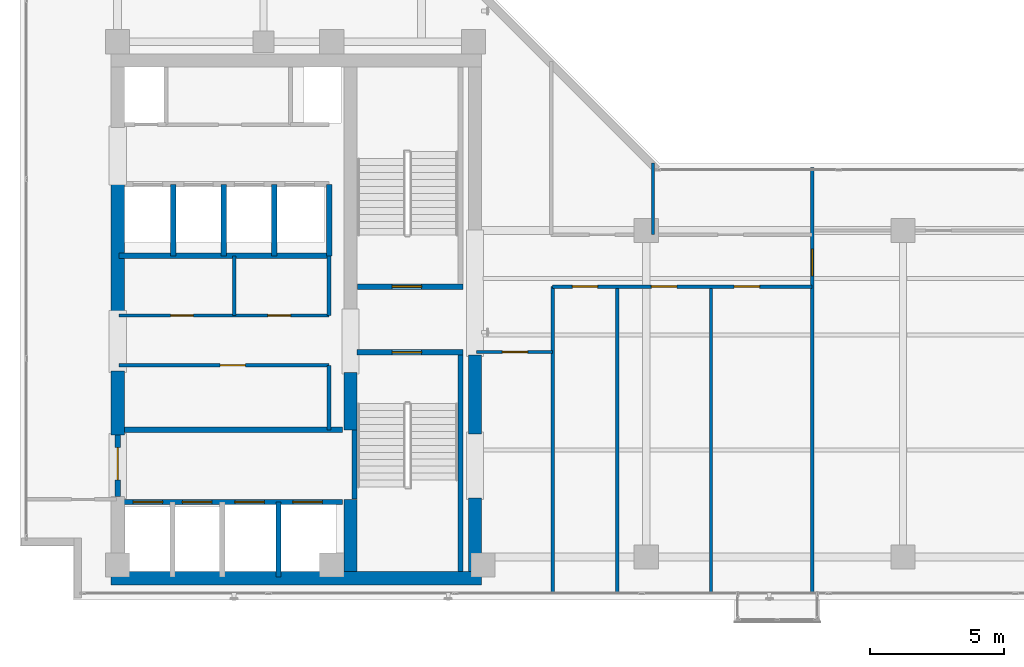
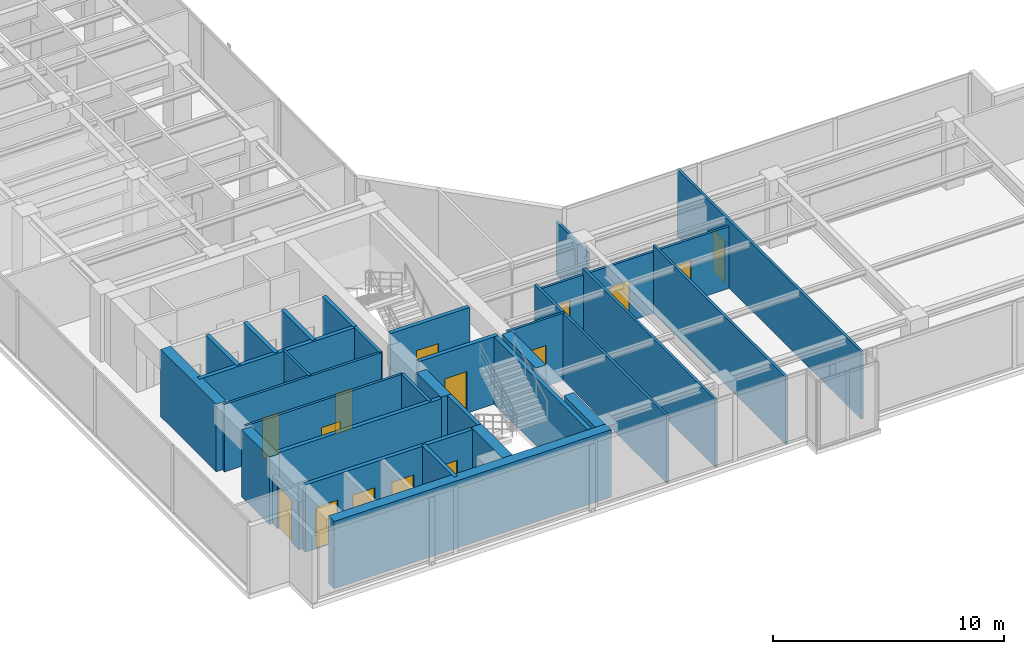
# One storey, part 17 of 23: 32 walls, 15 doors, 15 openings.
"""IFC4 building model written with IfcOpenShell, lengths in metres."""

from ifc_helpers import new_model, si_unit, direction, frame, frame_2d, origin, place, context, subcontext, project, spatial, rectangle, extrude, material, layer, layer_set, type_object, element, fill, save


model = new_model("IFC4")

# Units and contexts
model_context = context("Model", 3, precision=1e-05, world=origin(), true_north=direction((0.0, 1.0)))
body_context = subcontext(model_context, "Body", "Model", "MODEL_VIEW")
ifc_project = project(units=[si_unit("LENGTHUNIT", "METRE"), si_unit("AREAUNIT", "SQUARE_METRE"), si_unit("VOLUMEUNIT", "CUBIC_METRE"), si_unit("PLANEANGLEUNIT", "RADIAN"), si_unit("MASSUNIT", "GRAM", prefix="KILO")], contexts=[model_context])

# Site, building, storey
site_placement = place(None, origin())
site = spatial("IfcSite", under=ifc_project, at=site_placement, CompositionType="ELEMENT")
building_placement = place(site_placement, origin())
building = spatial("IfcBuilding", under=site, at=building_placement, Name="Kolvaren Waterfront Exchange", CompositionType="ELEMENT")
storey_placement = place(building_placement, frame((0.0, 0.0, 297.0)))
storey = spatial("IfcBuildingStorey", under=building, at=storey_placement, Name="L76", CompositionType="ELEMENT", Elevation=297.0)

# Wall, opening, door
ifc_material_1 = material(Name="Precast concrete C40/50", Category="concrete")
ifc_layer_1 = layer(ifc_material_1, 0.199951171875, Name="Precast concrete C40/50")
ifc_layer_set_1 = layer_set([ifc_layer_1], Name="Precast concrete C40/50")
wall_type_1 = type_object("IfcWallType", Name="ARC-FIRE-200", PredefinedType="PARTITIONING", material=ifc_layer_set_1)
wall_1_placement = place(storey_placement, frame((16.39990234375, 12.85009765625, 0.0), z_axis=(0.0, 0.0, 1.0), x_axis=(1.0, 0.0, 0.0)))
wall_1 = element("IfcWall", 1, at=wall_1_placement, inside=storey, type_object=wall_type_1, Name="L76 interior wall PW-L76-ST1-THROAT-S", PredefinedType="PARTITIONING", context=body_context, shape_type="SweptSolid", body=[
    extrude(rectangle(XDim=3.960205078125, YDim=0.199951171875, at=frame_2d((1.97998046875, 0.0))), origin(), (0.0, 0.0, 1.0), 3.56005859375),
])
opening_1_placement = place(wall_1_placement, frame((1.3037109375, 0.0, 0.0)))
opening_1 = element("IfcOpeningElement", 2, at=opening_1_placement, cuts=wall_1, Name="Opening FD2", PredefinedType="OPENING", context=body_context, shape_type="SweptSolid", body=[
    extrude(rectangle(XDim=1.10009765625, YDim=2.199951171875, at=frame_2d((0.550048828125, 1.10009765625))), frame((0.0, 0.10986328125, 0.0), z_axis=(0.0, -1.0, 0.0), x_axis=(1.0, 0.0, 0.0)), (0.0, 0.0, 1.0), 0.219970703125),
])
ifc_material_2 = material(Name="Pressed steel smoke-seal fire door", Category="steel")
door_type_1 = type_object("IfcDoorType", Name="ARC-FD-1100", OperationType="NOTDEFINED", PredefinedType="DOOR", material=ifc_material_2)
door_1_placement = place(opening_1_placement, frame((1.10009765625, 0.0, 0.0), z_axis=(0.0, 0.0, 1.0), x_axis=(-1.0, 0.0, 0.0)))
door_1 = element("IfcDoor", 3, at=door_1_placement, inside=storey, type_object=door_type_1, Name="L76 door DR-L76-ST1-IN (FD2)", OperationType="SINGLE_SWING_RIGHT", OverallHeight=2.199951171875, OverallWidth=1.10009765625, PredefinedType="DOOR", context=body_context, shape_type="SweptSolid", body=[
    extrude(rectangle(XDim=1.10009765625, YDim=2.199951171875, at=frame_2d((0.550048828125, 1.10009765625))), frame((0.0, 0.02490234375, 0.0), z_axis=(0.0, -1.0, 0.0), x_axis=(1.0, 0.0, 0.0)), (0.0, 0.0, 1.0), 0.050048828125),
])
fill(opening_1, door_1)

wall_2_placement = place(storey_placement, frame((16.409912109375, 15.300048828125, 0.0), z_axis=(0.0, 0.0, 1.0), x_axis=(1.0, 0.0, 0.0)))
wall_2 = element("IfcWall", 4, at=wall_2_placement, inside=storey, type_object=wall_type_1, Name="L76 interior wall PW-L76-ST2-THROAT-N", PredefinedType="PARTITIONING", context=body_context, shape_type="SweptSolid", body=[
    extrude(rectangle(XDim=3.9501953125, YDim=0.199951171875, at=frame_2d((1.97509765625, 0.0))), origin(), (0.0, 0.0, 1.0), 3.56005859375),
])
opening_2_placement = place(wall_2_placement, frame((1.293701171875, 0.0, 0.0)))
opening_2 = element("IfcOpeningElement", 5, at=opening_2_placement, cuts=wall_2, Name="Opening FD2", PredefinedType="OPENING", context=body_context, shape_type="SweptSolid", body=[
    extrude(rectangle(XDim=1.10009765625, YDim=2.199951171875, at=frame_2d((0.550048828125, 1.10009765625))), frame((0.0, 0.10986328125, 0.0), z_axis=(0.0, -1.0, 0.0), x_axis=(1.0, 0.0, 0.0)), (0.0, 0.0, 1.0), 0.219970703125),
])
door_2_placement = place(opening_2_placement, origin())
door_2 = element("IfcDoor", 6, at=door_2_placement, inside=storey, type_object=door_type_1, Name="L76 door DR-L76-ST2-IN (FD2)", OperationType="SINGLE_SWING_LEFT", OverallHeight=2.199951171875, OverallWidth=1.10009765625, PredefinedType="DOOR", context=body_context, shape_type="SweptSolid", body=[
    extrude(rectangle(XDim=1.10009765625, YDim=2.199951171875, at=frame_2d((0.550048828125, 1.10009765625))), frame((0.0, 0.02490234375, 0.0), z_axis=(0.0, -1.0, 0.0), x_axis=(1.0, 0.0, 0.0)), (0.0, 0.0, 1.0), 0.050048828125),
])
fill(opening_2, door_2)

# Wall
wall_3_placement = place(storey_placement, frame((7.5, 9.949951171875, 0.0), z_axis=(0.0, 0.0, 1.0), x_axis=(1.0, 0.0, 0.0)))
element("IfcWall", 7, at=wall_3_placement, inside=storey, type_object=wall_type_1, Name="L76 interior wall PW-L76-FF-N", PredefinedType="PARTITIONING", context=body_context, shape_type="SweptSolid", body=[
    extrude(rectangle(XDim=8.35009765625, YDim=0.199951171875, at=frame_2d((4.175048828125, 0.0))), origin(), (0.0, 0.0, 1.0), 3.56005859375),
])

# Wall, opening, door
wall_4_placement = place(storey_placement, frame((7.449951171875, 7.449951171875, 0.0), z_axis=(0.0, 0.0, 1.0), x_axis=(0.0, 1.0, 0.0)))
wall_4 = element("IfcWall", 8, at=wall_4_placement, inside=storey, type_object=wall_type_1, Name="L76 interior wall PW-L76-FF-W-DOOR", PredefinedType="PARTITIONING", context=body_context, shape_type="SweptSolid", body=[
    extrude(rectangle(XDim=2.300048828125, YDim=0.199951171875, at=frame_2d((1.14990234375, 0.0))), origin(), (0.0, 0.0, 1.0), 2.5400390625),
])
opening_3_placement = place(wall_4_placement, frame((0.63330078125, 0.0, 0.0)))
opening_3 = element("IfcOpeningElement", 9, at=opening_3_placement, cuts=wall_4, Name="Opening FD3", PredefinedType="OPENING", context=body_context, shape_type="SweptSolid", body=[
    extrude(rectangle(XDim=1.199951171875, YDim=2.25, at=frame_2d((0.60009765625, 1.125))), frame((0.0, 0.10986328125, 0.0), z_axis=(0.0, -1.0, 0.0), x_axis=(1.0, 0.0, 0.0)), (0.0, 0.0, 1.0), 0.219970703125),
])
ifc_material_3 = material(Name="Pressed steel fire door", Category="steel")
door_type_2 = type_object("IfcDoorType", Name="ARC-FD-1200", OperationType="NOTDEFINED", PredefinedType="DOOR", material=ifc_material_3)
door_3_placement = place(opening_3_placement, frame((1.199951171875, 0.0, 0.0), z_axis=(0.0, 0.0, 1.0), x_axis=(-1.0, 0.0, 0.0)))
door_3 = element("IfcDoor", 10, at=door_3_placement, inside=storey, type_object=door_type_2, Name="L76 door DR-L76-FF-OUT (FD3)", OperationType="SINGLE_SWING_RIGHT", OverallHeight=2.25, OverallWidth=1.199951171875, PredefinedType="DOOR", context=body_context, shape_type="SweptSolid", body=[
    extrude(rectangle(XDim=1.199951171875, YDim=2.25, at=frame_2d((0.60009765625, 1.125))), frame((0.0, 0.02490234375, 0.0), z_axis=(0.0, -1.0, 0.0), x_axis=(1.0, 0.0, 0.0)), (0.0, 0.0, 1.0), 0.050048828125),
])
fill(opening_3, door_3)

ifc_material_4 = material(Name="Acoustic gypsum steel stud", Category="steel")
ifc_layer_2 = layer(ifc_material_4, 0.125, Name="Acoustic gypsum steel stud")
ifc_layer_set_2 = layer_set([ifc_layer_2], Name="Acoustic gypsum steel stud")
wall_type_2 = type_object("IfcWallType", Name="ARC-PART-125", PredefinedType="PARTITIONING", material=ifc_layer_set_2)
wall_5_placement = place(storey_placement, frame((7.5, 12.360107421875, 0.0), z_axis=(0.0, 0.0, 1.0), x_axis=(1.0, 0.0, 0.0)))
wall_5 = element("IfcWall", 11, at=wall_5_placement, inside=storey, type_object=wall_type_2, Name="L76 interior wall PW-L76-REC-HI-S", PredefinedType="PARTITIONING", context=body_context, shape_type="SweptSolid", body=[
    extrude(rectangle(XDim=7.85009765625, YDim=0.125, at=frame_2d((3.925048828125, 0.0))), origin(), (0.0, 0.0, 1.0), 3.56005859375),
])
opening_4_placement = place(wall_5_placement, frame((3.77490234375, 0.0, 0.0)))
opening_4 = element("IfcOpeningElement", 12, at=opening_4_placement, cuts=wall_5, Name="Opening D02", PredefinedType="OPENING", context=body_context, shape_type="SweptSolid", body=[
    extrude(rectangle(XDim=0.949951171875, YDim=2.14990234375, at=frame_2d((0.47509765625, 1.074951171875))), frame((0.0, 0.072509765625, 0.0), z_axis=(0.0, -1.0, 0.0), x_axis=(1.0, 0.0, 0.0)), (0.0, 0.0, 1.0), 0.14501953125),
])
ifc_material_5 = material(Name="Oak veneer acoustic timber", Category="wood")
door_type_3 = type_object("IfcDoorType", Name="ARC-DR-950", OperationType="NOTDEFINED", PredefinedType="DOOR", material=ifc_material_5)
door_4_placement = place(opening_4_placement, origin())
door_4 = element("IfcDoor", 13, at=door_4_placement, inside=storey, type_object=door_type_3, Name="L76 door DR-L76-REC-HI-D1 (D02)", OperationType="SINGLE_SWING_LEFT", OverallHeight=2.14990234375, OverallWidth=0.949951171875, PredefinedType="DOOR", context=body_context, shape_type="SweptSolid", body=[
    extrude(rectangle(XDim=0.949951171875, YDim=2.14990234375, at=frame_2d((0.47509765625, 1.074951171875))), frame((0.0, 0.02490234375, 0.0), z_axis=(0.0, -1.0, 0.0), x_axis=(1.0, 0.0, 0.0)), (0.0, 0.0, 1.0), 0.050048828125),
])
fill(opening_4, door_4)

# Wall, openings, doors
wall_6_placement = place(storey_placement, frame((7.5, 14.219970703125, 0.0), z_axis=(0.0, 0.0, 1.0), x_axis=(1.0, 0.0, 0.0)))
wall_6 = element("IfcWall", 14, at=wall_6_placement, inside=storey, type_object=wall_type_2, Name="L76 interior wall PW-L76-REC-HI-N", PredefinedType="PARTITIONING", context=body_context, shape_type="SweptSolid", body=[
    extrude(rectangle(XDim=7.85009765625, YDim=0.125, at=frame_2d((3.925048828125, 0.0))), origin(), (0.0, 0.0, 1.0), 3.56005859375),
])
opening_5_placement = place(wall_6_placement, frame((1.925048828125, 0.0, 0.0)))
opening_5 = element("IfcOpeningElement", 15, at=opening_5_placement, cuts=wall_6, Name="Opening D01", PredefinedType="OPENING", context=body_context, shape_type="SweptSolid", body=[
    extrude(rectangle(XDim=0.85009765625, YDim=2.14990234375, at=frame_2d((0.425048828125, 1.074951171875))), frame((0.0, 0.072509765625, 0.0), z_axis=(0.0, -1.0, 0.0), x_axis=(1.0, 0.0, 0.0)), (0.0, 0.0, 1.0), 0.14501953125),
])
opening_6_placement = place(wall_6_placement, frame((5.56298828125, 0.0, 0.0)))
opening_6 = element("IfcOpeningElement", 16, at=opening_6_placement, cuts=wall_6, Name="Opening D01", PredefinedType="OPENING", context=body_context, shape_type="SweptSolid", body=[
    extrude(rectangle(XDim=0.85009765625, YDim=2.14990234375, at=frame_2d((0.425048828125, 1.074951171875))), frame((0.0, 0.072509765625, 0.0), z_axis=(0.0, -1.0, 0.0), x_axis=(1.0, 0.0, 0.0)), (0.0, 0.0, 1.0), 0.14501953125),
])
ifc_material_6 = material(Name="Oak veneer timber leaf", Category="wood")
door_type_4 = type_object("IfcDoorType", Name="ARC-DR-900", OperationType="NOTDEFINED", PredefinedType="DOOR", material=ifc_material_6)
door_5_placement = place(opening_5_placement, origin())
door_5 = element("IfcDoor", 17, at=door_5_placement, inside=storey, type_object=door_type_4, Name="L76 door DR-L76-REC-HI-D2 (D01)", OperationType="SINGLE_SWING_RIGHT", OverallHeight=2.14990234375, OverallWidth=0.85009765625, PredefinedType="DOOR", context=body_context, shape_type="SweptSolid", body=[
    extrude(rectangle(XDim=0.85009765625, YDim=2.14990234375, at=frame_2d((0.425048828125, 1.074951171875))), frame((0.0, 0.02490234375, 0.0), z_axis=(0.0, -1.0, 0.0), x_axis=(1.0, 0.0, 0.0)), (0.0, 0.0, 1.0), 0.050048828125),
])
fill(opening_5, door_5)
door_6_placement = place(opening_6_placement, origin())
door_6 = element("IfcDoor", 18, at=door_6_placement, inside=storey, type_object=door_type_4, Name="L76 door DR-L76-REC-HI-D3 (D01)", OperationType="SINGLE_SWING_LEFT", OverallHeight=2.14990234375, OverallWidth=0.85009765625, PredefinedType="DOOR", context=body_context, shape_type="SweptSolid", body=[
    extrude(rectangle(XDim=0.85009765625, YDim=2.14990234375, at=frame_2d((0.425048828125, 1.074951171875))), frame((0.0, 0.02490234375, 0.0), z_axis=(0.0, -1.0, 0.0), x_axis=(1.0, 0.0, 0.0)), (0.0, 0.0, 1.0), 0.050048828125),
])
fill(opening_6, door_6)

# Wall
wall_7_placement = place(storey_placement, frame((11.800048828125, 14.219970703125, 0.0), z_axis=(0.0, 0.0, 1.0), x_axis=(0.0, 1.0, 0.0)))
element("IfcWall", 19, at=wall_7_placement, inside=storey, type_object=wall_type_2, Name="L76 interior wall PW-L76-REC-HI-MN2", PredefinedType="PARTITIONING", context=body_context, shape_type="SweptSolid", body=[
    extrude(rectangle(XDim=2.22998046875, YDim=0.125, at=frame_2d((1.114990234375, 0.0))), origin(), (0.0, 0.0, 1.0), 3.56005859375),
])

# Wall, opening, door
wall_8_placement = place(storey_placement, frame((20.85009765625, 12.860107421875, 0.0), z_axis=(0.0, 0.0, 1.0), x_axis=(1.0, 0.0, 0.0)))
wall_8 = element("IfcWall", 20, at=wall_8_placement, inside=storey, type_object=wall_type_2, Name="L76 interior wall PW-L76-SWST3-N", PredefinedType="PARTITIONING", context=body_context, shape_type="SweptSolid", body=[
    extrude(rectangle(XDim=2.849853515625, YDim=0.125, at=frame_2d((1.4248046875, 0.0))), origin(), (0.0, 0.0, 1.0), 3.56005859375),
])
opening_7_placement = place(wall_8_placement, frame((0.971435546875, 0.0, 0.0)))
opening_7 = element("IfcOpeningElement", 21, at=opening_7_placement, cuts=wall_8, Name="Opening D02", PredefinedType="OPENING", context=body_context, shape_type="SweptSolid", body=[
    extrude(rectangle(XDim=0.949951171875, YDim=2.14990234375, at=frame_2d((0.47509765625, 1.074951171875))), frame((0.0, 0.072509765625, 0.0), z_axis=(0.0, -1.0, 0.0), x_axis=(1.0, 0.0, 0.0)), (0.0, 0.0, 1.0), 0.14501953125),
])
door_7_placement = place(opening_7_placement, origin())
door_7 = element("IfcDoor", 22, at=door_7_placement, inside=storey, type_object=door_type_3, Name="L76 door DR-L76-SWST3-D (D02)", OperationType="SINGLE_SWING_LEFT", OverallHeight=2.14990234375, OverallWidth=0.949951171875, PredefinedType="DOOR", context=body_context, shape_type="SweptSolid", body=[
    extrude(rectangle(XDim=0.949951171875, YDim=2.14990234375, at=frame_2d((0.47509765625, 1.074951171875))), frame((0.0, 0.02490234375, 0.0), z_axis=(0.0, -1.0, 0.0), x_axis=(1.0, 0.0, 0.0)), (0.0, 0.0, 1.0), 0.050048828125),
])
fill(opening_7, door_7)

# Wall
wall_9_placement = place(storey_placement, frame((23.699951171875, 3.840087890625, 0.0), z_axis=(0.0, 0.0, 1.0), x_axis=(0.0, 1.0, 0.0)))
element("IfcWall", 23, at=wall_9_placement, inside=storey, type_object=wall_type_2, Name="L76 interior wall PW-L76-ES-W0", PredefinedType="PARTITIONING", context=body_context, shape_type="SweptSolid", body=[
    extrude(rectangle(XDim=11.4599609375, YDim=0.125, at=frame_2d((5.72998046875, 0.0))), origin(), (0.0, 0.0, 1.0), 3.56005859375),
])

# Wall, openings, doors
wall_10_placement = place(storey_placement, frame((23.699951171875, 15.300048828125, 0.0), z_axis=(0.0, 0.0, 1.0), x_axis=(1.0, 0.0, 0.0)))
wall_10 = element("IfcWall", 24, at=wall_10_placement, inside=storey, type_object=wall_type_2, Name="L76 interior wall PW-L76-ES-CORR", PredefinedType="PARTITIONING", context=body_context, shape_type="SweptSolid", body=[
    extrude(rectangle(XDim=9.699951171875, YDim=0.125, at=frame_2d((4.85009765625, 0.0))), origin(), (0.0, 0.0, 1.0), 3.260009765625),
])
opening_8_placement = place(wall_10_placement, frame((0.735107421875, 0.0, 0.0)))
opening_8 = element("IfcOpeningElement", 25, at=opening_8_placement, cuts=wall_10, Name="Opening D02", PredefinedType="OPENING", context=body_context, shape_type="SweptSolid", body=[
    extrude(rectangle(XDim=0.949951171875, YDim=2.14990234375, at=frame_2d((0.47509765625, 1.074951171875))), frame((0.0, 0.072509765625, 0.0), z_axis=(0.0, -1.0, 0.0), x_axis=(1.0, 0.0, 0.0)), (0.0, 0.0, 1.0), 0.14501953125),
])
opening_9_placement = place(wall_10_placement, frame((3.695068359375, 0.0, 0.0)))
opening_9 = element("IfcOpeningElement", 26, at=opening_9_placement, cuts=wall_10, Name="Opening D02", PredefinedType="OPENING", context=body_context, shape_type="SweptSolid", body=[
    extrude(rectangle(XDim=0.949951171875, YDim=2.14990234375, at=frame_2d((0.47509765625, 1.074951171875))), frame((0.0, 0.072509765625, 0.0), z_axis=(0.0, -1.0, 0.0), x_axis=(1.0, 0.0, 0.0)), (0.0, 0.0, 1.0), 0.14501953125),
])
opening_10_placement = place(wall_10_placement, frame((6.782958984375, 0.0, 0.0)))
opening_10 = element("IfcOpeningElement", 27, at=opening_10_placement, cuts=wall_10, Name="Opening D02", PredefinedType="OPENING", context=body_context, shape_type="SweptSolid", body=[
    extrude(rectangle(XDim=0.949951171875, YDim=2.14990234375, at=frame_2d((0.47509765625, 1.074951171875))), frame((0.0, 0.072509765625, 0.0), z_axis=(0.0, -1.0, 0.0), x_axis=(1.0, 0.0, 0.0)), (0.0, 0.0, 1.0), 0.14501953125),
])
door_8_placement = place(opening_8_placement, origin())
door_8 = element("IfcDoor", 28, at=door_8_placement, inside=storey, type_object=door_type_3, Name="L76 door DR-L76-ES-D-1 (D02)", OperationType="SINGLE_SWING_RIGHT", OverallHeight=2.14990234375, OverallWidth=0.949951171875, PredefinedType="DOOR", context=body_context, shape_type="SweptSolid", body=[
    extrude(rectangle(XDim=0.949951171875, YDim=2.14990234375, at=frame_2d((0.47509765625, 1.074951171875))), frame((0.0, 0.02490234375, 0.0), z_axis=(0.0, -1.0, 0.0), x_axis=(1.0, 0.0, 0.0)), (0.0, 0.0, 1.0), 0.050048828125),
])
fill(opening_8, door_8)
door_9_placement = place(opening_9_placement, origin())
door_9 = element("IfcDoor", 29, at=door_9_placement, inside=storey, type_object=door_type_3, Name="L76 door DR-L76-ES-D-2 (D02)", OperationType="SINGLE_SWING_LEFT", OverallHeight=2.14990234375, OverallWidth=0.949951171875, PredefinedType="DOOR", context=body_context, shape_type="SweptSolid", body=[
    extrude(rectangle(XDim=0.949951171875, YDim=2.14990234375, at=frame_2d((0.47509765625, 1.074951171875))), frame((0.0, 0.02490234375, 0.0), z_axis=(0.0, -1.0, 0.0), x_axis=(1.0, 0.0, 0.0)), (0.0, 0.0, 1.0), 0.050048828125),
])
fill(opening_9, door_9)
door_10_placement = place(opening_10_placement, origin())
door_10 = element("IfcDoor", 30, at=door_10_placement, inside=storey, type_object=door_type_3, Name="L76 door DR-L76-ES-D-3 (D02)", OperationType="SINGLE_SWING_RIGHT", OverallHeight=2.14990234375, OverallWidth=0.949951171875, PredefinedType="DOOR", context=body_context, shape_type="SweptSolid", body=[
    extrude(rectangle(XDim=0.949951171875, YDim=2.14990234375, at=frame_2d((0.47509765625, 1.074951171875))), frame((0.0, 0.02490234375, 0.0), z_axis=(0.0, -1.0, 0.0), x_axis=(1.0, 0.0, 0.0)), (0.0, 0.0, 1.0), 0.050048828125),
])
fill(opening_10, door_10)

# Walls
for number, where, z_axis, x_axis, name in (
    (31, (26.1201171875, 3.840087890625, 0.0), (0.0, 0.0, 1.0), (0.0, 1.0, 0.0), "L76 interior wall PW-L76-ES-DIV-1"),
    (32, (29.6201171875, 3.840087890625, 0.0), (0.0, 0.0, 1.0), (0.0, 1.0, 0.0), "L76 interior wall PW-L76-ES-DIV-2"),
):
    element("IfcWall", number, at=place(storey_placement, frame(where, z_axis=z_axis, x_axis=x_axis)), inside=storey, type_object=wall_type_2, Name=name, PredefinedType="PARTITIONING", context=body_context, shape_type="SweptSolid", body=[
        extrude(rectangle(XDim=11.4599609375, YDim=0.125, at=frame_2d((5.72998046875, 0.0))), origin(), (0.0, 0.0, 1.0), 3.56005859375),
    ])

# Wall, opening, door
wall_11_placement = place(storey_placement, frame((33.39990234375, 3.840087890625, 0.0), z_axis=(0.0, 0.0, 1.0), x_axis=(0.0, 1.0, 0.0)))
wall_11 = element("IfcWall", 33, at=wall_11_placement, inside=storey, type_object=wall_type_2, Name="L76 interior wall PW-L76-ETIP-W", PredefinedType="PARTITIONING", context=body_context, shape_type="SweptSolid", body=[
    extrude(rectangle(XDim=15.919921875, YDim=0.125, at=frame_2d((7.9599609375, 0.0))), origin(), (0.0, 0.0, 1.0), 3.56005859375),
])
opening_11_placement = place(wall_11_placement, frame((11.860107421875, 0.0, 0.0)))
opening_11 = element("IfcOpeningElement", 34, at=opening_11_placement, cuts=wall_11, Name="Opening D03", PredefinedType="OPENING", context=body_context, shape_type="SweptSolid", body=[
    extrude(rectangle(XDim=1.0, YDim=2.199951171875, at=frame_2d((0.5, 1.10009765625))), frame((0.0, 0.072509765625, 0.0), z_axis=(0.0, -1.0, 0.0), x_axis=(1.0, 0.0, 0.0)), (0.0, 0.0, 1.0), 0.14501953125),
])
ifc_material_7 = material(Name="Oak veneer accessible timber", Category="wood")
door_type_5 = type_object("IfcDoorType", Name="ARC-DR-1000", OperationType="NOTDEFINED", PredefinedType="DOOR", material=ifc_material_7)
door_11_placement = place(opening_11_placement, origin())
door_11 = element("IfcDoor", 35, at=door_11_placement, inside=storey, type_object=door_type_5, Name="L76 door DR-L76-ETIP1-D (D03)", OperationType="SINGLE_SWING_LEFT", OverallHeight=2.199951171875, OverallWidth=1.0, PredefinedType="DOOR", context=body_context, shape_type="SweptSolid", body=[
    extrude(rectangle(XDim=1.0, YDim=2.199951171875, at=frame_2d((0.5, 1.10009765625))), frame((0.0, 0.02490234375, 0.0), z_axis=(0.0, -1.0, 0.0), x_axis=(1.0, 0.0, 0.0)), (0.0, 0.0, 1.0), 0.050048828125),
])
fill(opening_11, door_11)

# Walls
wall_12_placement = place(storey_placement, frame((27.449951171875, 17.239990234375, 0.0), z_axis=(0.0, 0.0, 1.0), x_axis=(0.0, 1.0, 0.0)))
element("IfcWall", 36, at=wall_12_placement, inside=storey, type_object=wall_type_2, Name="L76 interior wall PW-L76-EN-DIV-1", PredefinedType="PARTITIONING", context=body_context, shape_type="SweptSolid", body=[
    extrude(rectangle(XDim=2.6806640625, YDim=0.125, at=frame_2d((1.34033203125, 0.0))), origin(), (0.0, 0.0, 1.0), 2.798095703125),
])
ifc_material_8 = material(Name="Gypsum fireboard steel stud", Category="steel")
ifc_layer_3 = layer(ifc_material_8, 0.14990234375, Name="Gypsum fireboard steel stud")
ifc_layer_set_3 = layer_set([ifc_layer_3], Name="Gypsum fireboard steel stud")
wall_type_3 = type_object("IfcWallType", Name="ARC-PART-150", PredefinedType="PARTITIONING", material=ifc_layer_set_3)
wall_13_placement = place(storey_placement, frame((15.35009765625, 9.949951171875, 0.0), z_axis=(0.0, 0.0, 1.0), x_axis=(0.0, 1.0, 0.0)))
element("IfcWall", 37, at=wall_13_placement, inside=storey, type_object=wall_type_3, Name="L76 interior wall PW-L76-REC-HI-E1", PredefinedType="PARTITIONING", context=body_context, shape_type="SweptSolid", body=[
    extrude(rectangle(XDim=2.41015625, YDim=0.14990234375, at=frame_2d((1.205078125, 0.0))), origin(), (0.0, 0.0, 1.0), 3.56005859375),
])
wall_14_placement = place(storey_placement, frame((15.35009765625, 14.219970703125, 0.0), z_axis=(0.0, 0.0, 1.0), x_axis=(0.0, 1.0, 0.0)))
element("IfcWall", 38, at=wall_14_placement, inside=storey, type_object=wall_type_3, Name="L76 interior wall PW-L76-REC-HI-E2", PredefinedType="PARTITIONING", context=body_context, shape_type="SweptSolid", body=[
    extrude(rectangle(XDim=2.22998046875, YDim=0.14990234375, at=frame_2d((1.114990234375, 0.0))), origin(), (0.0, 0.0, 1.0), 3.56005859375),
])
ifc_material_9 = material(Name="Concrete C40/50", Category="concrete")
ifc_layer_4 = layer(ifc_material_9, 0.199951171875, Name="Concrete C40/50")
ifc_layer_set_4 = layer_set([ifc_layer_4], Name="Concrete C40/50")
wall_type_4 = type_object("IfcWallType", Name="ARC-SHAFT-200", PredefinedType="PARTITIONING", material=ifc_layer_set_4)
wall_15_placement = place(storey_placement, frame((16.300048828125, 7.360107421875, 0.0), z_axis=(0.0, 0.0, 1.0), x_axis=(0.0, 1.0, 0.0)))
element("IfcWall", 39, at=wall_15_placement, inside=storey, type_object=wall_type_4, Name="L76 structural stairwell wall PW-L76-ST1-W", PredefinedType="SHEAR", context=body_context, shape_type="SweptSolid", body=[
    extrude(rectangle(XDim=2.579833984375, YDim=0.199951171875, at=frame_2d((1.2900390625, 0.0))), origin(), (0.0, 0.0, 1.0), 3.56005859375),
])
wall_16_placement = place(storey_placement, frame((20.260009765625, 4.659912109375, 0.0), z_axis=(0.0, 0.0, 1.0), x_axis=(0.0, 1.0, 0.0)))
element("IfcWall", 40, at=wall_16_placement, inside=storey, type_object=wall_type_4, Name="L76 structural stairwell wall PW-L76-ST1-E", PredefinedType="SHEAR", context=body_context, shape_type="SweptSolid", body=[
    extrude(rectangle(XDim=8.090087890625, YDim=0.199951171875, at=frame_2d((4.044921875, 0.0))), origin(), (0.0, 0.0, 1.0), 3.56005859375),
])

# Wall, openings, doors
wall_17_placement = place(storey_placement, frame((7.5, 7.25, 0.0), z_axis=(0.0, 0.0, 1.0), x_axis=(1.0, 0.0, 0.0)))
wall_17 = element("IfcWall", 41, at=wall_17_placement, inside=storey, type_object=wall_type_4, Name="L76 interior wall PW-L76-FF-S", PredefinedType="PARTITIONING", context=body_context, shape_type="SweptSolid", body=[
    extrude(rectangle(XDim=8.35009765625, YDim=0.199951171875, at=frame_2d((4.175048828125, 0.0))), origin(), (0.0, 0.0, 1.0), 3.56005859375),
])
opening_12_placement = place(wall_17_placement, frame((0.530029296875, 0.0, 0.0)))
opening_12 = element("IfcOpeningElement", 42, at=opening_12_placement, cuts=wall_17, Name="Opening LD1", PredefinedType="OPENING", context=body_context, shape_type="SweptSolid", body=[
    extrude(rectangle(XDim=1.10009765625, YDim=2.199951171875, at=frame_2d((0.550048828125, 1.10009765625))), frame((0.0, 0.10986328125, 0.0), z_axis=(0.0, -1.0, 0.0), x_axis=(1.0, 0.0, 0.0)), (0.0, 0.0, 1.0), 0.219970703125),
])
opening_13_placement = place(wall_17_placement, frame((2.3701171875, 0.0, 0.0)))
opening_13 = element("IfcOpeningElement", 43, at=opening_13_placement, cuts=wall_17, Name="Opening LD1", PredefinedType="OPENING", context=body_context, shape_type="SweptSolid", body=[
    extrude(rectangle(XDim=1.10009765625, YDim=2.199951171875, at=frame_2d((0.550048828125, 1.10009765625))), frame((0.0, 0.10986328125, 0.0), z_axis=(0.0, -1.0, 0.0), x_axis=(1.0, 0.0, 0.0)), (0.0, 0.0, 1.0), 0.219970703125),
])
opening_14_placement = place(wall_17_placement, frame((4.330078125, 0.0, 0.0)))
opening_14 = element("IfcOpeningElement", 44, at=opening_14_placement, cuts=wall_17, Name="Opening LD1", PredefinedType="OPENING", context=body_context, shape_type="SweptSolid", body=[
    extrude(rectangle(XDim=1.10009765625, YDim=2.199951171875, at=frame_2d((0.550048828125, 1.10009765625))), frame((0.0, 0.10986328125, 0.0), z_axis=(0.0, -1.0, 0.0), x_axis=(1.0, 0.0, 0.0)), (0.0, 0.0, 1.0), 0.219970703125),
])
opening_15_placement = place(wall_17_placement, frame((6.5, 0.0, 0.0)))
opening_15 = element("IfcOpeningElement", 45, at=opening_15_placement, cuts=wall_17, Name="Opening LD1", PredefinedType="OPENING", context=body_context, shape_type="SweptSolid", body=[
    extrude(rectangle(XDim=1.10009765625, YDim=2.199951171875, at=frame_2d((0.550048828125, 1.10009765625))), frame((0.0, 0.10986328125, 0.0), z_axis=(0.0, -1.0, 0.0), x_axis=(1.0, 0.0, 0.0)), (0.0, 0.0, 1.0), 0.219970703125),
])
ifc_material_10 = material(Name="Stainless steel sliding landing door", Category="steel")
door_type_6 = type_object("IfcDoorType", Name="ARC-LD-FF", OperationType="SLIDING_TO_LEFT", PredefinedType="DOOR", material=ifc_material_10)
door_12_placement = place(opening_12_placement, origin())
door_12 = element("IfcDoor", 46, at=door_12_placement, inside=storey, type_object=door_type_6, Name="L76 door LD-L76-FFL1 (LD1)", OperationType="SLIDING_TO_LEFT", OverallHeight=2.199951171875, OverallWidth=1.10009765625, PredefinedType="DOOR", context=body_context, shape_type="SweptSolid", body=[
    extrude(rectangle(XDim=1.10009765625, YDim=2.199951171875, at=frame_2d((0.550048828125, 1.10009765625))), frame((0.0, 0.02490234375, 0.0), z_axis=(0.0, -1.0, 0.0), x_axis=(1.0, 0.0, 0.0)), (0.0, 0.0, 1.0), 0.050048828125),
])
fill(opening_12, door_12)
door_13_placement = place(opening_13_placement, origin())
door_13 = element("IfcDoor", 47, at=door_13_placement, inside=storey, type_object=door_type_6, Name="L76 door LD-L76-FFL2 (LD1)", OperationType="SLIDING_TO_LEFT", OverallHeight=2.199951171875, OverallWidth=1.10009765625, PredefinedType="DOOR", context=body_context, shape_type="SweptSolid", body=[
    extrude(rectangle(XDim=1.10009765625, YDim=2.199951171875, at=frame_2d((0.550048828125, 1.10009765625))), frame((0.0, 0.02490234375, 0.0), z_axis=(0.0, -1.0, 0.0), x_axis=(1.0, 0.0, 0.0)), (0.0, 0.0, 1.0), 0.050048828125),
])
fill(opening_13, door_13)
door_14_placement = place(opening_14_placement, origin())
door_14 = element("IfcDoor", 48, at=door_14_placement, inside=storey, type_object=door_type_6, Name="L76 door LD-L76-GL1 (LD1)", OperationType="SLIDING_TO_LEFT", OverallHeight=2.199951171875, OverallWidth=1.10009765625, PredefinedType="DOOR", context=body_context, shape_type="SweptSolid", body=[
    extrude(rectangle(XDim=1.10009765625, YDim=2.199951171875, at=frame_2d((0.550048828125, 1.10009765625))), frame((0.0, 0.02490234375, 0.0), z_axis=(0.0, -1.0, 0.0), x_axis=(1.0, 0.0, 0.0)), (0.0, 0.0, 1.0), 0.050048828125),
])
fill(opening_14, door_14)
door_15_placement = place(opening_15_placement, origin())
door_15 = element("IfcDoor", 49, at=door_15_placement, inside=storey, type_object=door_type_6, Name="L76 door LD-L76-GL2 (LD1)", OperationType="SLIDING_TO_LEFT", OverallHeight=2.199951171875, OverallWidth=1.10009765625, PredefinedType="DOOR", context=body_context, shape_type="SweptSolid", body=[
    extrude(rectangle(XDim=1.10009765625, YDim=2.199951171875, at=frame_2d((0.550048828125, 1.10009765625))), frame((0.0, 0.02490234375, 0.0), z_axis=(0.0, -1.0, 0.0), x_axis=(1.0, 0.0, 0.0)), (0.0, 0.0, 1.0), 0.050048828125),
])
fill(opening_15, door_15)

# Walls
wall_18_placement = place(storey_placement, frame((13.4599609375, 4.449951171875, 0.0), z_axis=(0.0, 0.0, 1.0), x_axis=(0.0, 1.0, 0.0)))
element("IfcWall", 50, at=wall_18_placement, inside=storey, type_object=wall_type_4, Name="L76 interior wall PW-L76-SH1-DIV-134", PredefinedType="PARTITIONING", context=body_context, shape_type="SweptSolid", body=[
    extrude(rectangle(XDim=2.800048828125, YDim=0.199951171875, at=frame_2d((1.39990234375, 0.0))), origin(), (0.0, 0.0, 1.0), 3.56005859375),
])
wall_19_placement = place(storey_placement, frame((7.5, 16.449951171875, 0.0), z_axis=(0.0, 0.0, 1.0), x_axis=(1.0, 0.0, 0.0)))
element("IfcWall", 51, at=wall_19_placement, inside=storey, type_object=wall_type_4, Name="L76 interior wall PW-L76-REC-PM-N", PredefinedType="PARTITIONING", context=body_context, shape_type="SweptSolid", body=[
    extrude(rectangle(XDim=7.85009765625, YDim=0.199951171875, at=frame_2d((3.925048828125, 0.0))), origin(), (0.0, 0.0, 1.0), 3.56005859375),
])
for number, where, z_axis, x_axis, name in (
    (52, (15.35009765625, 16.449951171875, 0.0), (0.0, 0.0, 1.0), (0.0, 1.0, 0.0), "L76 interior wall PW-L76-PH-E"),
    (53, (9.52001953125, 16.449951171875, 0.0), (0.0, 0.0, 1.0), (0.0, 1.0, 0.0), "L76 interior wall PW-L76-SH4-DIV-95"),
    (54, (11.409912109375, 16.449951171875, 0.0), (0.0, 0.0, 1.0), (0.0, 1.0, 0.0), "L76 interior wall PW-L76-SH4-DIV-114"),
    (55, (13.300048828125, 16.449951171875, 0.0), (0.0, 0.0, 1.0), (0.0, 1.0, 0.0), "L76 interior wall PW-L76-SH4-DIV-133"),
):
    element("IfcWall", number, at=place(storey_placement, frame(where, z_axis=z_axis, x_axis=x_axis)), inside=storey, type_object=wall_type_4, Name=name, PredefinedType="PARTITIONING", context=body_context, shape_type="SweptSolid", body=[
        extrude(rectangle(XDim=2.670166015625, YDim=0.199951171875, at=frame_2d((1.3349609375, 0.0))), origin(), (0.0, 0.0, 1.0), 3.56005859375),
    ])
ifc_material_11 = material(Name="Concrete C50/60", Category="concrete")
ifc_layer_5 = layer(ifc_material_11, 0.5, Name="Concrete C50/60")
ifc_layer_set_5 = layer_set([ifc_layer_5], Name="Concrete C50/60")
wall_type_5 = type_object("IfcWallType", Name="STR-CWALL-500", PredefinedType="SHEAR", material=ifc_layer_set_5)
wall_20_placement = place(storey_placement, frame((7.199951171875, 4.39990234375, 0.0), z_axis=(0.0, 0.0, 1.0), x_axis=(1.0, 0.0, 0.0)))
element("IfcWall", 56, at=wall_20_placement, inside=storey, type_object=wall_type_5, Name="L76 rear-core shear wall S", PredefinedType="SHEAR", context=body_context, shape_type="SweptSolid", body=[
    extrude(rectangle(XDim=13.85009765625, YDim=0.5, at=frame_2d((6.925048828125, 0.0))), origin(), (0.0, 0.0, 1.0), 3.56005859375),
])
wall_21_placement = place(storey_placement, frame((7.449951171875, 9.75, 0.0), z_axis=(0.0, 0.0, 1.0), x_axis=(0.0, 1.0, 0.0)))
element("IfcWall", 57, at=wall_21_placement, inside=storey, type_object=wall_type_5, Name="L76 rear-core shear wall W2A", PredefinedType="SHEAR", context=body_context, shape_type="SweptSolid", body=[
    extrude(rectangle(XDim=2.39990234375, YDim=0.5, at=frame_2d((1.199951171875, 0.0))), origin(), (0.0, 0.0, 1.0), 3.56005859375),
])
wall_22_placement = place(storey_placement, frame((7.449951171875, 14.35009765625, 0.0), z_axis=(0.0, 0.0, 1.0), x_axis=(0.0, 1.0, 0.0)))
element("IfcWall", 58, at=wall_22_placement, inside=storey, type_object=wall_type_5, Name="L76 rear-core shear wall W2B", PredefinedType="SHEAR", context=body_context, shape_type="SweptSolid", body=[
    extrude(rectangle(XDim=4.809814453125, YDim=0.5, at=frame_2d((2.40478515625, 0.0))), origin(), (0.0, 0.0, 1.0), 3.56005859375),
])
wall_23_placement = place(storey_placement, frame((20.800048828125, 4.64990234375, 0.0), z_axis=(0.0, 0.0, 1.0), x_axis=(0.0, 1.0, 0.0)))
element("IfcWall", 59, at=wall_23_placement, inside=storey, type_object=wall_type_5, Name="L76 rear-core shear wall E1", PredefinedType="SHEAR", context=body_context, shape_type="SweptSolid", body=[
    extrude(rectangle(XDim=2.75, YDim=0.5, at=frame_2d((1.375, 0.0))), origin(), (0.0, 0.0, 1.0), 3.56005859375),
])
wall_24_placement = place(storey_placement, frame((20.800048828125, 9.800048828125, 0.0), z_axis=(0.0, 0.0, 1.0), x_axis=(0.0, 1.0, 0.0)))
element("IfcWall", 60, at=wall_24_placement, inside=storey, type_object=wall_type_5, Name="L76 rear-core shear wall E2", PredefinedType="SHEAR", context=body_context, shape_type="SweptSolid", body=[
    extrude(rectangle(XDim=2.949951171875, YDim=0.5, at=frame_2d((1.47509765625, 0.0))), origin(), (0.0, 0.0, 1.0), 3.56005859375),
])
wall_25_placement = place(storey_placement, frame((16.14990234375, 4.64990234375, 0.0), z_axis=(0.0, 0.0, 1.0), x_axis=(0.0, 1.0, 0.0)))
element("IfcWall", 61, at=wall_25_placement, inside=storey, type_object=wall_type_5, Name="L76 rear-core shear wall M1", PredefinedType="SHEAR", context=body_context, shape_type="SweptSolid", body=[
    extrude(rectangle(XDim=2.7001953125, YDim=0.5, at=frame_2d((1.35009765625, 0.0))), origin(), (0.0, 0.0, 1.0), 3.56005859375),
])
wall_26_placement = place(storey_placement, frame((16.14990234375, 9.949951171875, 0.0), z_axis=(0.0, 0.0, 1.0), x_axis=(0.0, 1.0, 0.0)))
element("IfcWall", 62, at=wall_26_placement, inside=storey, type_object=wall_type_5, Name="L76 rear-core shear wall M2", PredefinedType="SHEAR", context=body_context, shape_type="SweptSolid", body=[
    extrude(rectangle(XDim=2.150146484375, YDim=0.5, at=frame_2d((1.0751953125, 0.0))), origin(), (0.0, 0.0, 1.0), 3.56005859375),
])

save(model, "model.ifc")
